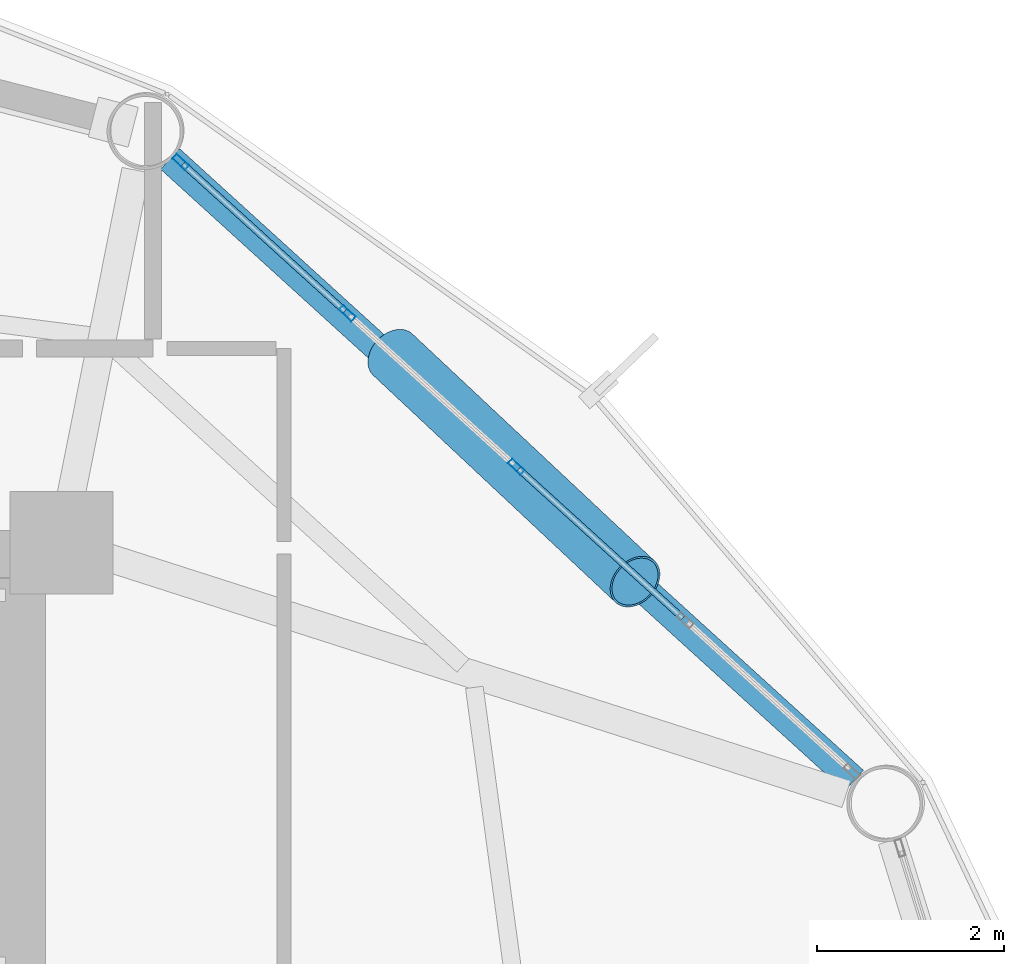
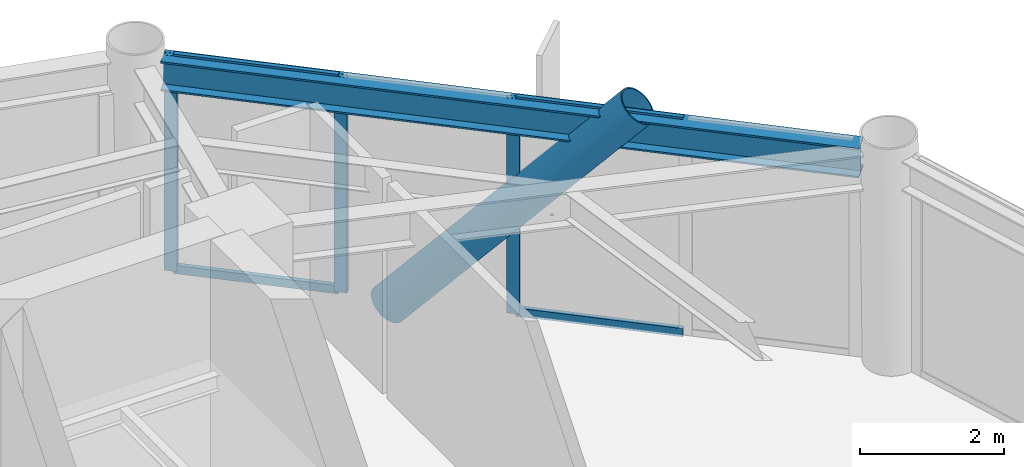
# One storey, part 18 of 25: 8 members, 1 beam, 1 element without a shape of its own.
"""IFC4 building model written with IfcOpenShell, lengths in metres."""

from ifc_helpers import new_model, si_unit, direction, frame, origin, origin_2d, place, context, subcontext, project, spatial, hollow_rectangle, hollow_circle, i_section, extrude, material, layer, layer_set, material_profile, profile_set, type_object, element, aggregate, save


model = new_model("IFC4")

# Units and contexts
model_context = context("Model", 3, precision=1e-05, world=origin(), true_north=direction((0.0, 1.0)))
body_context = subcontext(model_context, "Body", "Model", "MODEL_VIEW")
ifc_project = project(units=[si_unit("LENGTHUNIT", "METRE"), si_unit("AREAUNIT", "SQUARE_METRE"), si_unit("VOLUMEUNIT", "CUBIC_METRE"), si_unit("PLANEANGLEUNIT", "RADIAN"), si_unit("MASSUNIT", "GRAM", prefix="KILO")], contexts=[model_context])

# Site, building, storey
site_placement = place(None, origin())
site = spatial("IfcSite", under=ifc_project, at=site_placement, CompositionType="ELEMENT")
building_placement = place(site_placement, origin())
building = spatial("IfcBuilding", under=site, at=building_placement, Name="Varnakorn Sky Granary", CompositionType="ELEMENT")
storey_placement = place(building_placement, frame((0.0, 0.0, 91.5)))
storey = spatial("IfcBuildingStorey", under=building, at=storey_placement, Name="L22", CompositionType="ELEMENT", Elevation=91.5)

# Beam
ifc_material_1 = material(Name="Steel S355JR", Category="steel")
ifc_material_profile_1 = material_profile(ifc_material_1, i_section(OverallWidth=0.300048828125, OverallDepth=0.5, WebThickness=0.014404296875, FlangeThickness=0.028076171875, at=origin_2d()), Name="HE 500 B")
ifc_profile_set_1 = profile_set([ifc_material_profile_1], Name="Steel S355JR")
beam_type = type_object("IfcBeamType", Name="BM-SPD-Z2", PredefinedType="SPANDREL", material=ifc_profile_set_1)
beam_placement = place(storey_placement, frame((16.90087890625, 10.073486328125, 3.389892578125), z_axis=(-0.739943423445, 0.672669108923, 0.0), x_axis=(-0.672669108923, -0.739943423445, 0.0)))
element("IfcBeam", 1, at=beam_placement, inside=storey, type_object=beam_type, Name="Perimeter Spandrel Ring Beam RB02 L22", PredefinedType="SPANDREL", context=body_context, shape_type="SweptSolid", body=[
    extrude(i_section(OverallWidth=0.300048828125, OverallDepth=0.5, WebThickness=0.014404296875, FlangeThickness=0.028076171875, at=origin_2d()), origin(), (0.0, 0.0, 1.0), 9.892822265625),
])

# Curtain wall, members
ifc_material_2 = material(Name="Anodised Bronze Aluminium Alloy 6063-T6", Category="aluminium")
ifc_layer = layer(ifc_material_2, 0.18994140625, Name="Anodised Bronze Aluminium Alloy 6063-T6")
ifc_layer_set = layer_set([ifc_layer], Name="Anodised Bronze Aluminium Alloy 6063-T6")
curtain_wall_type = type_object("IfcCurtainWallType", Name="CW-FRM-1", PredefinedType="USERDEFINED", material=ifc_layer_set)
curtain_wall_placement = place(storey_placement, origin())
curtain_wall = element("IfcCurtainWall", 2, at=curtain_wall_placement, inside=storey, type_object=curtain_wall_type, Name="Unitised Curtain Wall CW3 CW-L22-B02", ObjectType="CURTAIN WALL", PredefinedType="USERDEFINED")
ifc_material_profile_2 = material_profile(ifc_material_2, hollow_rectangle(XDim=0.070068359375, YDim=0.18505859375, WallThickness=0.00390625, at=origin_2d()), Name="ALU MULL 70x185")
ifc_profile_set_2 = profile_set([ifc_material_profile_2], Name="Anodised Bronze Aluminium Alloy 6063-T6")
member_type_1 = type_object("IfcMemberType", Name="CW-FRM-1-MULL", PredefinedType="MULLION", material=ifc_profile_set_2)
member_1_placement = place(storey_placement, frame((9.6953125, 16.69482421875, 0.0), z_axis=(0.0, 0.0, 1.0), x_axis=(0.672429296104, 0.740161361962, 0.0)))
member_1 = element("IfcMember", 3, at=member_1_placement, type_object=member_type_1, Name="CW3 mullion 1", PredefinedType="MULLION", context=body_context, shape_type="SweptSolid", body=[
    extrude(hollow_rectangle(XDim=0.070068359375, YDim=0.18505859375, WallThickness=0.00390625, at=origin_2d()), origin(), (0.0, 0.0, 1.0), 3.639892578125),
])
member_2_placement = place(storey_placement, frame((11.4775390625, 15.07568359375, 0.0), z_axis=(0.0, 0.0, 1.0), x_axis=(0.672429296104, 0.740161361962, 0.0)))
member_2 = element("IfcMember", 4, at=member_2_placement, type_object=member_type_1, Name="CW3 mullion 2", PredefinedType="MULLION", context=body_context, shape_type="SweptSolid", body=[
    extrude(hollow_rectangle(XDim=0.070068359375, YDim=0.18505859375, WallThickness=0.00390625, at=origin_2d()), origin(), (0.0, 0.0, 1.0), 3.639892578125),
])
member_3_placement = place(storey_placement, frame((13.285888671875, 13.432861328125, 0.0), z_axis=(0.0, 0.0, 1.0), x_axis=(0.672429296104, 0.740161361962, 0.0)))
member_3 = element("IfcMember", 5, at=member_3_placement, type_object=member_type_1, Name="CW3 mullion 3", PredefinedType="MULLION", context=body_context, shape_type="SweptSolid", body=[
    extrude(hollow_rectangle(XDim=0.070068359375, YDim=0.18505859375, WallThickness=0.00390625, at=origin_2d()), origin(), (0.0, 0.0, 1.0), 3.639892578125),
])
ifc_material_profile_3 = material_profile(ifc_material_2, hollow_rectangle(XDim=0.070068359375, YDim=0.139892578125, WallThickness=0.00341796875, at=origin_2d()), Name="ALU TRAN 70x140")
ifc_profile_set_3 = profile_set([ifc_material_profile_3], Name="Anodised Bronze Aluminium Alloy 6063-T6")
member_type_2 = type_object("IfcMemberType", Name="CW-FRM-1-TRAN", PredefinedType="USERDEFINED", material=ifc_profile_set_3)
member_4_placement = place(storey_placement, frame((9.72119140625, 16.67138671875, 0.034912109375), z_axis=(0.740129039686, -0.672464872401, 0.0), x_axis=(0.672464872401, 0.740129039686, 0.0)))
member_4 = element("IfcMember", 6, at=member_4_placement, type_object=member_type_2, Name="CW3 transom 1.1", ObjectType="TRANSOM", PredefinedType="USERDEFINED", context=body_context, shape_type="SweptSolid", body=[
    extrude(hollow_rectangle(XDim=0.070068359375, YDim=0.139892578125, WallThickness=0.00341796875, at=origin_2d()), origin(), (0.0, 0.0, 1.0), 2.338134765625),
])
member_5_placement = place(storey_placement, frame((9.72119140625, 16.67138671875, 3.60498046875), z_axis=(0.740129039686, -0.672464872401, 0.0), x_axis=(0.672464872401, 0.740129039686, 0.0)))
member_5 = element("IfcMember", 7, at=member_5_placement, type_object=member_type_2, Name="CW3 transom 1.2", ObjectType="TRANSOM", PredefinedType="USERDEFINED", context=body_context, shape_type="SweptSolid", body=[
    extrude(hollow_rectangle(XDim=0.070068359375, YDim=0.139892578125, WallThickness=0.00341796875, at=origin_2d()), origin(), (0.0, 0.0, 1.0), 2.338134765625),
])
member_6_placement = place(storey_placement, frame((13.311767578125, 13.4091796875, 0.034912109375), z_axis=(0.740144875288, -0.672447442991, 0.0), x_axis=(0.672447442991, 0.740144875288, 0.0)))
member_6 = element("IfcMember", 8, at=member_6_placement, type_object=member_type_2, Name="CW3 transom 3.1", ObjectType="TRANSOM", PredefinedType="USERDEFINED", context=body_context, shape_type="SweptSolid", body=[
    extrude(hollow_rectangle(XDim=0.070068359375, YDim=0.139892578125, WallThickness=0.00341796875, at=origin_2d()), origin(), (0.0, 0.0, 1.0), 2.373046875),
])
member_7_placement = place(storey_placement, frame((13.311767578125, 13.4091796875, 3.60498046875), z_axis=(0.740144875288, -0.672447442991, 0.0), x_axis=(0.672447442991, 0.740144875288, 0.0)))
member_7 = element("IfcMember", 9, at=member_7_placement, type_object=member_type_2, Name="CW3 transom 3.2", ObjectType="TRANSOM", PredefinedType="USERDEFINED", context=body_context, shape_type="SweptSolid", body=[
    extrude(hollow_rectangle(XDim=0.070068359375, YDim=0.139892578125, WallThickness=0.00341796875, at=origin_2d()), origin(), (0.0, 0.0, 1.0), 2.373046875),
])
aggregate(curtain_wall, [member_1, member_2, member_3, member_4, member_5, member_6, member_7])

# Member
ifc_material_3 = material(Name="Steel S460M", Category="steel")
ifc_material_profile_4 = material_profile(ifc_material_3, hollow_circle(Radius=0.304931640625, WallThickness=0.022216796875, at=origin_2d()), Name="CHS 610x22")
ifc_profile_set_4 = profile_set([ifc_material_profile_4], Name="Steel S460M")
member_type_3 = type_object("IfcMemberType", Name="MB-DIAG-T1", PredefinedType="BRACE", material=ifc_profile_set_4)
member_8_placement = place(storey_placement, frame((11.965087890625, 14.632568359375, -0.1298828125), z_axis=(0.490032666471, -0.459111411382, 0.74100249509), x_axis=(0.683707903953, 0.729755782486, 0.0)))
element("IfcMember", 10, at=member_8_placement, inside=storey, type_object=member_type_3, Name="Perimeter CHS Diagrid Brace DG02 L22", PredefinedType="BRACE", context=body_context, shape_type="SweptSolid", body=[
    extrude(hollow_circle(Radius=0.304931640625, WallThickness=0.022216796875, at=origin_2d()), origin(), (0.0, 0.0, 1.0), 5.2900390625),
])

save(model, "model.ifc")
